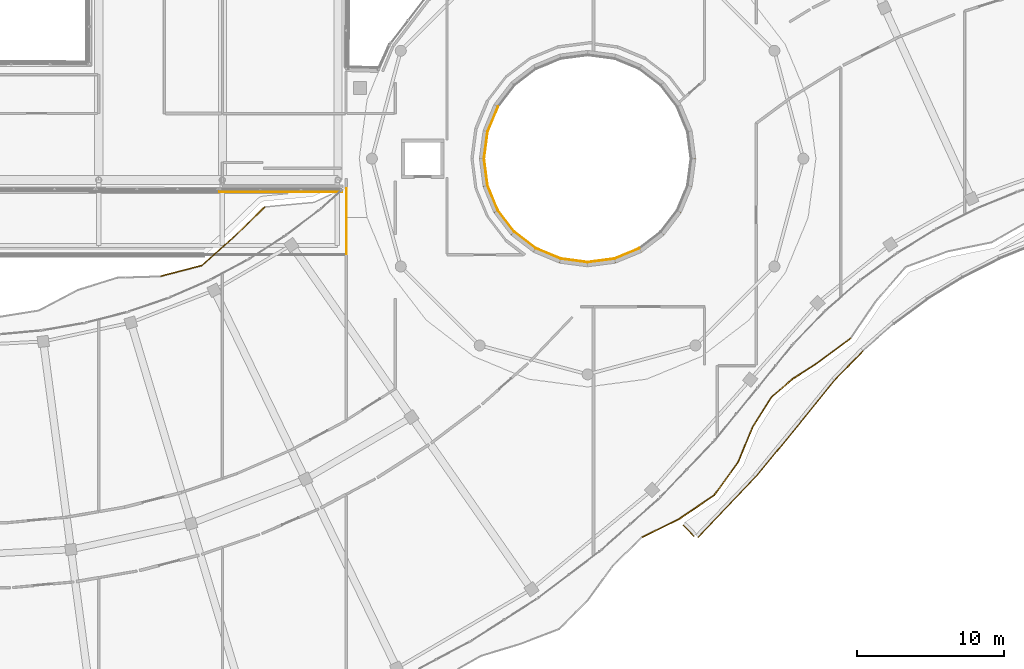
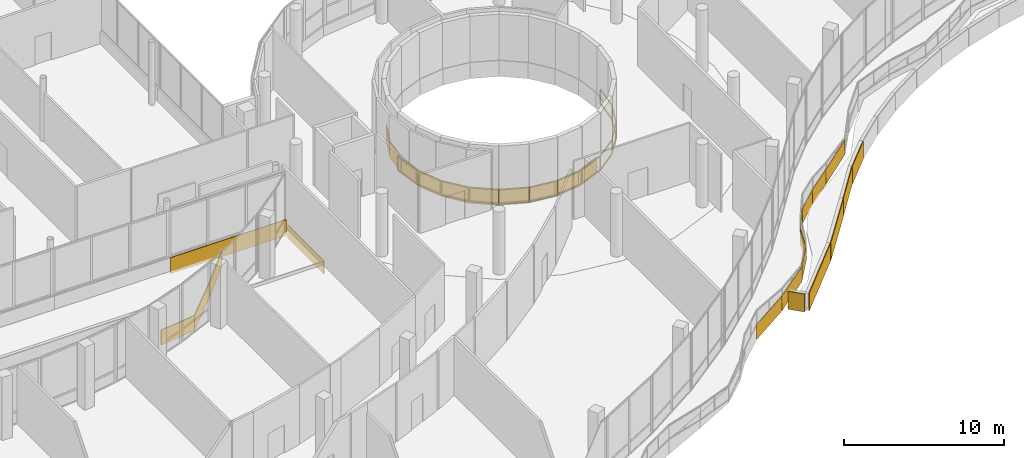
# One storey, part 159 of 168: 28 coverings, 1 railing.
"""IFC4 building model written with IfcOpenShell, lengths in metres."""

import ifcopenshell
import ifcopenshell.guid

model = None  # the IFC model being written
_history = None  # IfcOwnerHistory: only IFC2X3 demands one
_inside = {}  # id of a spatial element -> (the spatial element, [elements in it])
_under = {}  # id of a project, library or spatial element -> (it, [spatial elements below it])
_declared = {}  # id of a project -> (the project, [libraries it declares])
_typed = {}  # id of a type object -> (the type object, [elements of that type])
_made_of = {}  # id of a material, layer set ... -> (it, [elements and type objects made of it])


def new_model(schema):
    """Start an empty IFC model of exactly this schema.

    Asked for "IFC4X3", IfcOpenShell would pick the latest addendum, in which some entities
    have other attributes; the version numbers below select the first issue.
    IFC2X3 requires an IfcOwnerHistory on every rooted entity: one is made here for all.
    """
    global model, _history
    if schema == "IFC4X3":
        model = ifcopenshell.file(schema_version=(4, 3, 0, 0))
    else:
        model = ifcopenshell.file(schema=schema)
    _inside.clear()
    _under.clear()
    _declared.clear()
    _typed.clear()
    _made_of.clear()
    _history = None
    if model.schema == "IFC2X3":
        org = make("IfcOrganization", Name="unknown")
        user = make(
            "IfcPersonAndOrganization",
            ThePerson=make("IfcPerson", FamilyName="unknown"),
            TheOrganization=org,
        )
        app = make(
            "IfcApplication",
            ApplicationDeveloper=org,
            Version="unknown",
            ApplicationFullName="unknown",
            ApplicationIdentifier="unknown",
        )
        _history = make(
            "IfcOwnerHistory",
            OwningUser=user,
            OwningApplication=app,
            ChangeAction="ADDED",
            CreationDate=0,
        )
    return model


def make(cls, **values):
    """One entity of the class cls with the attributes given. An attribute that is None is left unset."""
    return model.create_entity(
        cls, **{name: value for name, value in values.items() if value is not None}
    )


def rooted(cls, **values):
    """An entity with a GlobalId (a new one), such as an element, a storey or a relation."""
    return make(cls, GlobalId=ifcopenshell.guid.new(), OwnerHistory=_history, **values)


def si_unit(unit_type, name, prefix=None):
    """IfcSIUnit, for example si_unit("LENGTHUNIT", "METRE", prefix="MILLI")."""
    return make("IfcSIUnit", UnitType=unit_type, Prefix=prefix, Name=name)


def assignment(units):
    """IfcUnitAssignment: the units of a project."""
    return None if units is None else make("IfcUnitAssignment", Units=units)


def point(xyz):
    """IfcCartesianPoint."""
    return None if xyz is None else make("IfcCartesianPoint", Coordinates=xyz)


def direction(xyz):
    """IfcDirection."""
    return None if xyz is None else make("IfcDirection", DirectionRatios=xyz)


def frame(location, z_axis=None, x_axis=None):
    """IfcAxis2Placement3D, a coordinate frame: its origin and axes. An axis left out is left unset."""
    return make(
        "IfcAxis2Placement3D",
        Location=point(location),
        Axis=direction(z_axis),
        RefDirection=direction(x_axis),
    )


def frame_2d(location, x_axis=None):
    """IfcAxis2Placement2D, a coordinate frame in the plane: its origin and x axis."""
    return make(
        "IfcAxis2Placement2D", Location=point(location), RefDirection=direction(x_axis)
    )


def origin():
    """The frame at (0, 0, 0) with its axes left unset."""
    return frame((0.0, 0.0, 0.0))


def origin_2d():
    """The frame at (0, 0) in the plane with its x axis left unset."""
    return frame_2d((0.0, 0.0))


def place(relative_to, where):
    """IfcLocalPlacement: puts the frame where relative to a parent placement (None: the world)."""
    return make(
        "IfcLocalPlacement", PlacementRelTo=relative_to, RelativePlacement=where
    )


def context(
    kind, dimensions, precision=None, world=None, true_north=None, identifier=None
):
    """IfcGeometricRepresentationContext, for example the 3D "Model" context."""
    return make(
        "IfcGeometricRepresentationContext",
        ContextIdentifier=identifier,
        ContextType=kind,
        CoordinateSpaceDimension=dimensions,
        Precision=precision,
        WorldCoordinateSystem=world,
        TrueNorth=true_north,
    )


def subcontext(parent, identifier, kind, view, scale=None):
    """IfcGeometricRepresentationSubContext, for example "Body" below "Model"."""
    return make(
        "IfcGeometricRepresentationSubContext",
        ContextIdentifier=identifier,
        ContextType=kind,
        ParentContext=parent,
        TargetScale=scale,
        TargetView=view,
    )


def project(units=None, contexts=None):
    """IfcProject with its units and contexts."""
    return rooted(
        "IfcProject",
        Name="project",
        RepresentationContexts=contexts,
        UnitsInContext=assignment(units),
    )


def spatial(cls, under=None, at=None, **own):
    """A site, building, storey or space (cls), placed at a placement, below another one or the project."""
    s = rooted(cls, ObjectPlacement=at, **own)
    if under is not None:
        _under.setdefault(under.id(), (under, []))[1].append(s)
    return s


def polyline(points):
    """IfcPolyline through the points."""
    return make("IfcPolyline", Points=[point(p) for p in points])


def profile(cls, at=None, kind="AREA", **sizes):
    """A parametric profile (cls). Its sizes go by their IFC names, for example OverallWidth=200.0."""
    return make(cls, ProfileType=kind, Position=at, **sizes)


def rectangle(**sizes):
    """IfcRectangleProfileDef."""
    return profile("IfcRectangleProfileDef", **sizes)


def outline(outer, holes=None, kind="AREA"):
    """IfcArbitraryClosedProfileDef: a profile drawn as a closed curve; with holes, ...WithVoids."""
    if holes is None:
        return make("IfcArbitraryClosedProfileDef", ProfileType=kind, OuterCurve=outer)
    return make(
        "IfcArbitraryProfileDefWithVoids",
        ProfileType=kind,
        OuterCurve=outer,
        InnerCurves=holes,
    )


def extrude(swept, where, along, depth):
    """IfcExtrudedAreaSolid: the profile swept, set in the frame where, extruded along a direction by depth."""
    return make(
        "IfcExtrudedAreaSolid",
        SweptArea=swept,
        Position=where,
        ExtrudedDirection=direction(along),
        Depth=depth,
    )


def shape(context_of_items, identifier, shape_type, items):
    """IfcShapeRepresentation: the items that make up one representation, for example the "Body"."""
    return make(
        "IfcShapeRepresentation",
        ContextOfItems=context_of_items,
        RepresentationIdentifier=identifier,
        RepresentationType=shape_type,
        Items=items,
    )


def material(Name=None, Category=None):
    """IfcMaterial."""
    return make("IfcMaterial", Name=Name, Category=Category)


def layer(
    of_material, thickness, ventilated=None, Name=None, Category=None, Priority=None
):
    """IfcMaterialLayer: one layer of a wall or slab, of a material (None: an air gap)."""
    return make(
        "IfcMaterialLayer",
        Material=of_material,
        LayerThickness=thickness,
        IsVentilated=ventilated,
        Name=Name,
        Category=Category,
        Priority=Priority,
    )


def layer_set(layers, Name=None):
    """IfcMaterialLayerSet."""
    return make("IfcMaterialLayerSet", MaterialLayers=layers, LayerSetName=Name)


def made_of(thing, what):
    """Note that an element or type object is made of a material, layer set ...; save() writes the relation."""
    if what is not None:
        _made_of.setdefault(what.id(), (what, []))[1].append(thing)
    return thing


def type_object(cls, material=None, **own):
    """A type object (cls), such as IfcWallType, which elements share."""
    return made_of(rooted(cls, **own), material)


def element(
    cls,
    number,
    at=None,
    inside=None,
    cuts=None,
    type_object=None,
    material=None,
    context=None,
    identifier="Body",
    shape_type=None,
    held_by="IfcProductDefinitionShape",
    body=None,
    shapes=None,
    **own,
):
    """One element of the class cls, such as IfcWall. Its Tag is "e" and its number.

    at: its placement. inside: the storey or other place that contains it. cuts: it is an
    opening in that element (IfcRelVoidsElement). A single representation is given by context,
    identifier, shape_type and body (its items); several are given by shapes. held_by: the class
    of the entity that holds the representations. save() writes the other relations.
    """
    e = rooted(cls, Tag="e%d" % number, ObjectPlacement=at, **own)
    if body is not None:
        shapes = [shape(context, identifier, shape_type, body)]
    if shapes is not None:
        e.Representation = make(held_by, Representations=shapes)
    if inside is not None:
        _inside.setdefault(inside.id(), (inside, []))[1].append(e)
    if cuts is not None:
        rooted(
            "IfcRelVoidsElement", RelatingBuildingElement=cuts, RelatedOpeningElement=e
        )
    if type_object is not None:
        _typed.setdefault(type_object.id(), (type_object, []))[1].append(e)
    return made_of(e, material)


def aggregate(whole, parts):
    """IfcRelAggregates: a whole, such as a stair, and the parts it consists of."""
    return rooted("IfcRelAggregates", RelatingObject=whole, RelatedObjects=parts)


def save(model, path):
    """Write the relations noted so far, then the file.

    IfcRelAggregates (storeys below a building ...), IfcRelContainedInSpatialStructure (elements
    in a storey), IfcRelDefinesByType, IfcRelAssociatesMaterial and IfcRelDeclares: one each for
    every whole, place, type object, material and project.
    """
    for whole, parts in _under.values():
        aggregate(whole, parts)
    for where, things in _inside.values():
        rooted(
            "IfcRelContainedInSpatialStructure",
            RelatedElements=things,
            RelatingStructure=where,
        )
    for kind, things in _typed.values():
        rooted("IfcRelDefinesByType", RelatedObjects=things, RelatingType=kind)
    for what, things in _made_of.values():
        rooted("IfcRelAssociatesMaterial", RelatedObjects=things, RelatingMaterial=what)
    for by, libraries in _declared.values():
        rooted("IfcRelDeclares", RelatingContext=by, RelatedDefinitions=libraries)
    model.write(path)


model = new_model("IFC4")

# Units and contexts
model_context = context("Model", 3, precision=1e-05, world=origin(), true_north=direction((0.0, 1.0)))
body_context = subcontext(model_context, "Body", "Model", "MODEL_VIEW")
ifc_project = project(units=[si_unit("LENGTHUNIT", "METRE"), si_unit("AREAUNIT", "SQUARE_METRE"), si_unit("VOLUMEUNIT", "CUBIC_METRE"), si_unit("PLANEANGLEUNIT", "RADIAN"), si_unit("MASSUNIT", "GRAM", prefix="KILO")], contexts=[model_context])

# Site, building, storey
site_placement = place(None, origin())
site = spatial("IfcSite", under=ifc_project, at=site_placement, CompositionType="ELEMENT")
building_placement = place(site_placement, origin())
building = spatial("IfcBuilding", under=site, at=building_placement, Name="Selatvlak General Hospital", CompositionType="ELEMENT")
storey_placement = place(building_placement, frame((0.0, 0.0, 5.39990234375)))
storey = spatial("IfcBuildingStorey", under=building, at=storey_placement, Name="L01", CompositionType="ELEMENT", Elevation=5.39990234375)

# Coverings
ifc_material_1 = material(Name="PVDF aluminium fascia - ochre yellow", Category="aluminium")
ifc_layer_1 = layer(ifc_material_1, 0.070068359375, Name="PVDF aluminium fascia - ochre yellow", Category="aluminium")
ifc_layer_set_1 = layer_set([ifc_layer_1], Name="PVDF aluminium fascia - ochre yellow")
covering_type_1 = type_object("IfcCoveringType", Name="COV-RB-YEL", PredefinedType="CLADDING", material=ifc_layer_set_1)
covering_1_placement = place(storey_placement, frame((101.698974609375, 28.279052734375, -1.122802734375), z_axis=(0.0, 0.0, 1.0), x_axis=(0.895074731887, 0.445916162902, 0.0)))
element("IfcCovering", 1, at=covering_1_placement, inside=storey, type_object=covering_type_1, Name="L01 De Stijl waving fascia streamer 147", PredefinedType="CLADDING", context=body_context, shape_type="SweptSolid", body=[
    extrude(outline(polyline([(0.0, 0.0), (2.861328125, 0.52294921875), (2.861328125, 1.662841796875), (0.0, 1.139892578125), (0.0, 0.0)])), frame((0.0, 0.03515625, 0.0), z_axis=(0.0, -1.0, 0.0), x_axis=(1.0, 0.0, 0.0)), (0.0, 0.0, 1.0), 0.070068359375),
])
covering_2_placement = place(storey_placement, frame((104.259033203125, 29.554931640625, -0.599853515625), z_axis=(0.0, 0.0, 1.0), x_axis=(0.827825487396, 0.560985706072, 0.0)))
element("IfcCovering", 2, at=covering_2_placement, inside=storey, type_object=covering_type_1, Name="L01 De Stijl waving fascia streamer 148", PredefinedType="CLADDING", context=body_context, shape_type="SweptSolid", body=[
    extrude(outline(polyline([(0.0, 0.0), (2.8251953125, 0.4140625), (2.8251953125, 1.553955078125), (0.0, 1.139892578125), (0.0, 0.0)])), frame((0.0, 0.03515625, 0.0), z_axis=(0.0, -1.0, 0.0), x_axis=(1.0, 0.0, 0.0)), (0.0, 0.0, 1.0), 0.070068359375),
])
covering_3_placement = place(storey_placement, frame((106.597900390625, 31.138916015625, -0.185791015625), z_axis=(0.0, 0.0, 1.0), x_axis=(0.586478115921, 0.809965073041, 0.0)))
element("IfcCovering", 3, at=covering_3_placement, inside=storey, type_object=covering_type_1, Name="L01 De Stijl waving fascia streamer 149", PredefinedType="CLADDING", context=body_context, shape_type="SweptSolid", body=[
    extrude(outline(polyline([(0.0, 0.0), (2.787841796875, -0.26220703125), (2.787841796875, 0.877685546875), (0.0, 1.139892578125), (0.0, 0.0)])), frame((0.0, 0.03515625, 0.0), z_axis=(0.0, -1.0, 0.0), x_axis=(1.0, 0.0, 0.0)), (0.0, 0.0, 1.0), 0.070068359375),
])
covering_4_placement = place(storey_placement, frame((108.23291015625, 33.39697265625, -0.447998046875), z_axis=(0.0, 0.0, 1.0), x_axis=(0.379793072961, 0.925071468445, 0.0)))
element("IfcCovering", 4, at=covering_4_placement, inside=storey, type_object=covering_type_1, Name="L01 De Stijl waving fascia streamer 150", PredefinedType="CLADDING", context=body_context, shape_type="SweptSolid", body=[
    extrude(outline(polyline([(0.0, 0.0), (2.580322265625, -0.52392578125), (2.580322265625, 0.615966796875), (0.0, 1.139892578125), (0.0, 0.0)])), frame((0.0, 0.03515625, 0.0), z_axis=(0.0, -1.0, 0.0), x_axis=(1.0, 0.0, 0.0)), (0.0, 0.0, 1.0), 0.070068359375),
])
covering_5_placement = place(storey_placement, frame((109.2119140625, 35.782958984375, -0.971923828125), z_axis=(0.0, 0.0, 1.0), x_axis=(0.535233769083, 0.844703979175, 0.0)))
element("IfcCovering", 5, at=covering_5_placement, inside=storey, type_object=covering_type_1, Name="L01 De Stijl waving fascia streamer 151", PredefinedType="CLADDING", context=body_context, shape_type="SweptSolid", body=[
    extrude(outline(polyline([(0.0, 0.0), (2.3974609375, -0.201904296875), (2.3974609375, 0.93798828125), (0.0, 1.139892578125), (0.0, 0.0)])), frame((0.0, 0.03515625, 0.0), z_axis=(0.0, -1.0, 0.0), x_axis=(1.0, 0.0, 0.0)), (0.0, 0.0, 1.0), 0.070068359375),
])
covering_6_placement = place(storey_placement, frame((110.4951171875, 37.80810546875, -1.173828125), z_axis=(0.0, 0.0, 1.0), x_axis=(0.758637489431, 0.65151297733, 0.0)))
element("IfcCovering", 6, at=covering_6_placement, inside=storey, type_object=covering_type_1, Name="L01 De Stijl waving fascia streamer 152", PredefinedType="CLADDING", context=body_context, shape_type="SweptSolid", body=[
    extrude(outline(polyline([(0.0, 0.0), (1.893798828125, 0.23486328125), (1.893798828125, 1.374755859375), (0.0, 1.139892578125), (0.0, 0.0)])), frame((0.0, 0.03515625, 0.0), z_axis=(0.0, -1.0, 0.0), x_axis=(1.0, 0.0, 0.0)), (0.0, 0.0, 1.0), 0.070068359375),
])
covering_7_placement = place(storey_placement, frame((111.93310546875, 39.04296875, -0.93896484375), z_axis=(0.0, 0.0, 1.0), x_axis=(0.84306140564, 0.537817316865, 0.0)))
element("IfcCovering", 7, at=covering_7_placement, inside=storey, type_object=covering_type_1, Name="L01 De Stijl waving fascia streamer 153", PredefinedType="CLADDING", context=body_context, shape_type="SweptSolid", body=[
    extrude(outline(polyline([(0.0, 0.0), (1.844482421875, 0.416015625), (1.844482421875, 1.555908203125), (0.0, 1.139892578125), (0.0, 0.0)])), frame((0.0, 0.03515625, 0.0), z_axis=(0.0, -1.0, 0.0), x_axis=(1.0, 0.0, 0.0)), (0.0, 0.0, 1.0), 0.070068359375),
])
covering_8_placement = place(storey_placement, frame((113.488037109375, 40.034912109375, -0.52294921875), z_axis=(0.0, 0.0, 1.0), x_axis=(0.803660177419, 0.595088496974, 0.0)))
element("IfcCovering", 8, at=covering_8_placement, inside=storey, type_object=covering_type_1, Name="L01 De Stijl waving fascia streamer 154", PredefinedType="CLADDING", context=body_context, shape_type="SweptSolid", body=[
    extrude(outline(polyline([(0.0, 0.0), (2.9814453125, 0.3330078125), (2.9814453125, 1.472900390625), (0.0, 1.139892578125), (0.0, 0.0)])), frame((0.0, 0.03515625, 0.0), z_axis=(0.0, -1.0, 0.0), x_axis=(1.0, 0.0, 0.0)), (0.0, 0.0, 1.0), 0.070068359375),
])
covering_9_placement = place(storey_placement, frame((76.0791015625, 50.720947265625, -0.2138671875), z_axis=(0.0, 0.0, 1.0), x_axis=(-0.716822456802, -0.697255738897, 0.0)))
element("IfcCovering", 9, at=covering_9_placement, inside=storey, type_object=covering_type_1, Name="L01 De Stijl waving fascia streamer 189", PredefinedType="CLADDING", context=body_context, shape_type="SweptSolid", body=[
    extrude(outline(polyline([(0.0, 0.0), (2.869873046875, -0.468017578125), (2.869873046875, 0.671875), (0.0, 1.139892578125), (0.0, 0.0)])), frame((0.0, 0.03515625, 0.0), z_axis=(0.0, -1.0, 0.0), x_axis=(1.0, 0.0, 0.0)), (0.0, 0.0, 1.0), 0.070068359375),
])
covering_10_placement = place(storey_placement, frame((74.02099609375, 48.719970703125, -0.681884765625), z_axis=(0.0, 0.0, 1.0), x_axis=(-0.744531153408, -0.667587718285, 0.0)))
element("IfcCovering", 10, at=covering_10_placement, inside=storey, type_object=covering_type_1, Name="L01 De Stijl waving fascia streamer 190", PredefinedType="CLADDING", context=body_context, shape_type="SweptSolid", body=[
    extrude(outline(polyline([(0.0, 0.0), (2.950927734375, -0.489990234375), (2.950927734375, 0.64990234375), (0.0, 1.139892578125), (0.0, 0.0)])), frame((0.0, 0.03515625, 0.0), z_axis=(0.0, -1.0, 0.0), x_axis=(1.0, 0.0, 0.0)), (0.0, 0.0, 1.0), 0.070068359375),
])
covering_11_placement = place(storey_placement, frame((71.822998046875, 46.7490234375, -1.171875), z_axis=(0.0, 0.0, 1.0), x_axis=(-0.967939427792, -0.251183725837, 0.0)))
element("IfcCovering", 11, at=covering_11_placement, inside=storey, type_object=covering_type_1, Name="L01 De Stijl waving fascia streamer 191", PredefinedType="CLADDING", context=body_context, shape_type="SweptSolid", body=[
    extrude(outline(polyline([(0.0, 0.0), (2.90625, 0.31494140625), (2.90625, 1.454833984375), (0.0, 1.139892578125), (0.0, 0.0)])), frame((0.0, 0.03515625, 0.0), z_axis=(0.0, -1.0, 0.0), x_axis=(1.0, 0.0, 0.0)), (0.0, 0.0, 1.0), 0.070068359375),
])
ifc_material_2 = material(Name="White Bauhaus fair-faced cladding panel")
ifc_layer_2 = layer(ifc_material_2, 0.054931640625, Name="White Bauhaus fair-faced cladding panel")
ifc_layer_set_2 = layer_set([ifc_layer_2], Name="White Bauhaus fair-faced cladding panel")
covering_type_2 = type_object("IfcCoveringType", Name="COV-WHT1", PredefinedType="CLADDING", material=ifc_layer_set_2)
covering_12_placement = place(storey_placement, frame((77.160888671875, 51.738037109375, -0.27978515625), z_axis=(0.0, 0.0, 1.0), x_axis=(-0.999998384157, 0.001797688161, 0.0)))
element("IfcCovering", 12, at=covering_12_placement, inside=storey, type_object=covering_type_2, Name="L01 Bauhaus horizontal white spandrel band 0078", PredefinedType="CLADDING", context=body_context, shape_type="SweptSolid", body=[
    extrude(rectangle(XDim=8.362060546875, YDim=0.054931640625, at=origin_2d()), origin(), (0.0, 0.0, 1.0), 1.219970703125),
])
covering_13_placement = place(storey_placement, frame((91.56103515625, 56.675048828125, -0.27978515625), z_axis=(0.0, 0.0, 1.0), x_axis=(-0.384005268657, -0.923330901489, 0.0)))
element("IfcCovering", 13, at=covering_13_placement, inside=storey, type_object=covering_type_2, Name="L01 Bauhaus horizontal white spandrel band 0106", PredefinedType="CLADDING", context=body_context, shape_type="SweptSolid", body=[
    extrude(rectangle(XDim=1.8798828125, YDim=0.054931640625, at=origin_2d()), origin(), (0.0, 0.0, 1.0), 1.219970703125),
])
covering_14_placement = place(storey_placement, frame((91.087890625, 54.9169921875, -0.27978515625), z_axis=(0.0, 0.0, 1.0), x_axis=(-0.131495152443, -0.991316813579, 0.0)))
element("IfcCovering", 14, at=covering_14_placement, inside=storey, type_object=covering_type_2, Name="L01 Bauhaus horizontal white spandrel band 0107", PredefinedType="CLADDING", context=body_context, shape_type="SweptSolid", body=[
    extrude(rectangle(XDim=1.8779296875, YDim=0.054931640625, at=origin_2d()), origin(), (0.0, 0.0, 1.0), 1.219970703125),
])
covering_15_placement = place(storey_placement, frame((91.0859375, 53.097900390625, -0.27978515625), z_axis=(0.0, 0.0, 1.0), x_axis=(0.129332123433, -0.991601332113, 0.0)))
element("IfcCovering", 15, at=covering_15_placement, inside=storey, type_object=covering_type_2, Name="L01 Bauhaus horizontal white spandrel band 0108", PredefinedType="CLADDING", context=body_context, shape_type="SweptSolid", body=[
    extrude(rectangle(XDim=1.87890625, YDim=0.054931640625, at=origin_2d()), origin(), (0.0, 0.0, 1.0), 1.219970703125),
])
covering_16_placement = place(storey_placement, frame((91.554931640625, 51.339111328125, -0.27978515625), z_axis=(0.0, 0.0, 1.0), x_axis=(0.381812526586, -0.924239792771, 0.0)))
element("IfcCovering", 16, at=covering_16_placement, inside=storey, type_object=covering_type_2, Name="L01 Bauhaus horizontal white spandrel band 0109", PredefinedType="CLADDING", context=body_context, shape_type="SweptSolid", body=[
    extrude(rectangle(XDim=1.8798828125, YDim=0.054931640625, at=origin_2d()), origin(), (0.0, 0.0, 1.0), 1.219970703125),
])
for number, where, z_axis, x_axis, name in (
    (17, (92.464111328125, 49.760986328125, -0.27978515625), (0.0, 0.0, 1.0), (0.607805570475, -0.79408588232, 0.0), "L01 Bauhaus horizontal white spandrel band 0110"),
    (18, (93.75, 48.472900390625, -0.27978515625), (0.0, 0.0, 1.0), (0.792917516662, -0.609328984843, 0.0), "L01 Bauhaus horizontal white spandrel band 0111"),
):
    element("IfcCovering", number, at=place(storey_placement, frame(where, z_axis=z_axis, x_axis=x_axis)), inside=storey, type_object=covering_type_2, Name=name, PredefinedType="CLADDING", context=body_context, shape_type="SweptSolid", body=[
        extrude(rectangle(XDim=1.87890625, YDim=0.054931640625, at=origin_2d()), origin(), (0.0, 0.0, 1.0), 1.219970703125),
    ])
covering_17_placement = place(storey_placement, frame((95.324951171875, 47.56103515625, -0.27978515625), z_axis=(0.0, 0.0, 1.0), x_axis=(0.923330901489, -0.384005268657, 0.0)))
element("IfcCovering", 19, at=covering_17_placement, inside=storey, type_object=covering_type_2, Name="L01 Bauhaus horizontal white spandrel band 0112", PredefinedType="CLADDING", context=body_context, shape_type="SweptSolid", body=[
    extrude(rectangle(XDim=1.8798828125, YDim=0.054931640625, at=origin_2d()), origin(), (0.0, 0.0, 1.0), 1.219970703125),
])
covering_18_placement = place(storey_placement, frame((97.0830078125, 47.087890625, -0.27978515625), z_axis=(0.0, 0.0, 1.0), x_axis=(0.991316813579, -0.131495152443, 0.0)))
element("IfcCovering", 20, at=covering_18_placement, inside=storey, type_object=covering_type_2, Name="L01 Bauhaus horizontal white spandrel band 0113", PredefinedType="CLADDING", context=body_context, shape_type="SweptSolid", body=[
    extrude(rectangle(XDim=1.8779296875, YDim=0.054931640625, at=origin_2d()), origin(), (0.0, 0.0, 1.0), 1.219970703125),
])
covering_19_placement = place(storey_placement, frame((98.902099609375, 47.0859375, -0.27978515625), z_axis=(0.0, 0.0, 1.0), x_axis=(0.991601332113, 0.129332123433, 0.0)))
element("IfcCovering", 21, at=covering_19_placement, inside=storey, type_object=covering_type_2, Name="L01 Bauhaus horizontal white spandrel band 0114", PredefinedType="CLADDING", context=body_context, shape_type="SweptSolid", body=[
    extrude(rectangle(XDim=1.87890625, YDim=0.054931640625, at=origin_2d()), origin(), (0.0, 0.0, 1.0), 1.219970703125),
])
covering_20_placement = place(storey_placement, frame((100.660888671875, 47.554931640625, -0.27978515625), z_axis=(0.0, 0.0, 1.0), x_axis=(0.924239792771, 0.381812526586, 0.0)))
element("IfcCovering", 22, at=covering_20_placement, inside=storey, type_object=covering_type_2, Name="L01 Bauhaus horizontal white spandrel band 0115", PredefinedType="CLADDING", context=body_context, shape_type="SweptSolid", body=[
    extrude(rectangle(XDim=1.8798828125, YDim=0.054931640625, at=origin_2d()), origin(), (0.0, 0.0, 1.0), 1.219970703125),
])
covering_21_placement = place(storey_placement, frame((81.6298828125, 49.75, -0.75), z_axis=(0.0, 0.0, 1.0), x_axis=(0.0, 1.0, 0.0)))
element("IfcCovering", 23, at=covering_21_placement, inside=storey, type_object=covering_type_2, Name="L01 Main hall colonnade fascia E 0584", PredefinedType="CLADDING", context=body_context, shape_type="SweptSolid", body=[
    extrude(rectangle(XDim=4.5, YDim=0.054931640625, at=origin_2d()), origin(), (0.0, 0.0, 1.0), 1.0),
])
covering_22_placement = place(storey_placement, frame((115.735107421875, 39.93603515625, -0.300048828125), z_axis=(0.0, 0.0, 1.0), x_axis=(-0.69474624921, -0.71925492644, 0.0)))
element("IfcCovering", 24, at=covering_22_placement, inside=storey, type_object=covering_type_2, Name="L01 Roof parapet white Bauhaus coping 0634", PredefinedType="CLADDING", context=body_context, shape_type="SweptSolid", body=[
    extrude(rectangle(XDim=2.81396484375, YDim=0.054931640625, at=origin_2d()), origin(), (0.0, 0.0, 1.0), 1.3701171875),
])
covering_23_placement = place(storey_placement, frame((113.634033203125, 37.552001953125, -0.300048828125), z_axis=(0.0, 0.0, 1.0), x_axis=(-0.629266134493, -0.777189894415, 0.0)))
element("IfcCovering", 25, at=covering_23_placement, inside=storey, type_object=covering_type_2, Name="L01 Roof parapet white Bauhaus coping 0635", PredefinedType="CLADDING", context=body_context, shape_type="SweptSolid", body=[
    extrude(rectangle(XDim=3.569091796875, YDim=0.054931640625, at=origin_2d()), origin(), (0.0, 0.0, 1.0), 1.3701171875),
])
covering_24_placement = place(storey_placement, frame((110.967041015625, 34.263916015625, -0.300048828125), z_axis=(0.0, 0.0, 1.0), x_axis=(-0.633691460956, -0.773585892006, 0.0)))
element("IfcCovering", 26, at=covering_24_placement, inside=storey, type_object=covering_type_2, Name="L01 Roof parapet white Bauhaus coping 0636", PredefinedType="CLADDING", context=body_context, shape_type="SweptSolid", body=[
    extrude(rectangle(XDim=4.89697265625, YDim=0.054931640625, at=origin_2d()), origin(), (0.0, 0.0, 1.0), 1.3701171875),
])
covering_25_placement = place(storey_placement, frame((107.447998046875, 30.325927734375, -0.300048828125), z_axis=(0.0, 0.0, 1.0), x_axis=(-0.690920264601, -0.7229309704, 0.0)))
element("IfcCovering", 27, at=covering_25_placement, inside=storey, type_object=covering_type_2, Name="L01 Roof parapet white Bauhaus coping 0637", PredefinedType="CLADDING", context=body_context, shape_type="SweptSolid", body=[
    extrude(rectangle(XDim=5.653076171875, YDim=0.054931640625, at=origin_2d()), origin(), (0.0, 0.0, 1.0), 1.3701171875),
])
covering_26_placement = place(storey_placement, frame((104.862060546875, 28.738037109375, -0.300048828125), z_axis=(0.0, 0.0, 1.0), x_axis=(-0.694356993175, 0.71963071504, 0.0)))
element("IfcCovering", 28, at=covering_26_placement, inside=storey, type_object=covering_type_2, Name="L01 Roof parapet white Bauhaus coping 0638", PredefinedType="CLADDING", context=body_context, shape_type="SweptSolid", body=[
    extrude(rectangle(XDim=1.069091796875, YDim=0.054931640625, at=origin_2d()), origin(), (0.0, 0.0, 1.0), 1.3701171875),
])

# Railing
ifc_material_3 = material(Name="Stainless steel 316 atrium guard", Category="steel")
railing_type = type_object("IfcRailingType", Name="RAIL-ATR", PredefinedType="GUARDRAIL", material=ifc_material_3)
railing_placement = place(storey_placement, frame((90.699951171875, 54.0, 0.0)))
element("IfcRailing", 29, at=railing_placement, inside=storey, type_object=railing_type, Name="L01 rotunda atrium void guard S", PredefinedType="GUARDRAIL", context=body_context, shape_type="SweptSolid", body=[
    extrude(rectangle(XDim=0.068115234375, YDim=0.068115234375, at=origin_2d()), frame((0.00048828125, -0.0029296875, 1.11572265625), z_axis=(0.130703112878, -0.991421553268, 0.0), x_axis=(0.991421553268, 0.130703112878, 0.0)), (0.0, 0.0, 1.0), 1.8994140625),
    extrude(rectangle(XDim=0.068115234375, YDim=0.068115234375, at=origin_2d()), frame((0.00048828125, -0.0029296875, 0.049072265625), z_axis=(0.130703112878, -0.991421553268, 0.0), x_axis=(0.991421553268, 0.130703112878, 0.0)), (0.0, 0.0, 1.0), 1.8994140625),
    extrude(rectangle(XDim=0.068115234375, YDim=0.068115234375, at=origin_2d()), frame((0.250244140625, -1.8916015625, 1.11572265625), z_axis=(0.382495099758, -0.923957519944, 0.0), x_axis=(0.923957519944, 0.382495099758, 0.0)), (0.0, 0.0, 1.0), 1.900146484375),
    extrude(rectangle(XDim=0.068115234375, YDim=0.068115234375, at=origin_2d()), frame((0.250244140625, -1.8916015625, 0.049072265625), z_axis=(0.382495099758, -0.923957519944, 0.0), x_axis=(0.923957519944, 0.382495099758, 0.0)), (0.0, 0.0, 1.0), 1.900146484375),
    extrude(rectangle(XDim=0.068115234375, YDim=0.068115234375, at=origin_2d()), frame((0.979736328125, -3.65234375, 1.11572265625), z_axis=(0.608614402838, -0.793466135798, 0.0), x_axis=(0.793466135798, 0.608614402838, 0.0)), (0.0, 0.0, 1.0), 1.89990234375),
    extrude(rectangle(XDim=0.068115234375, YDim=0.068115234375, at=origin_2d()), frame((0.979736328125, -3.65234375, 0.049072265625), z_axis=(0.608614402838, -0.793466135798, 0.0), x_axis=(0.793466135798, 0.608614402838, 0.0)), (0.0, 0.0, 1.0), 1.89990234375),
    extrude(rectangle(XDim=0.068115234375, YDim=0.068115234375, at=origin_2d()), frame((2.140380859375, -5.163818359375, 1.11572265625), z_axis=(0.793466135798, -0.608614402838, 0.0), x_axis=(0.608614402838, 0.793466135798, 0.0)), (0.0, 0.0, 1.0), 1.89990234375),
    extrude(rectangle(XDim=0.068115234375, YDim=0.068115234375, at=origin_2d()), frame((2.140380859375, -5.163818359375, 0.049072265625), z_axis=(0.793466135798, -0.608614402838, 0.0), x_axis=(0.608614402838, 0.793466135798, 0.0)), (0.0, 0.0, 1.0), 1.89990234375),
    extrude(rectangle(XDim=0.068115234375, YDim=0.068115234375, at=origin_2d()), frame((3.65283203125, -6.3232421875, 1.11572265625), z_axis=(0.923957519944, -0.382495099758, 0.0), x_axis=(0.382495099758, 0.923957519944, 0.0)), (0.0, 0.0, 1.0), 1.900146484375),
    extrude(rectangle(XDim=0.068115234375, YDim=0.068115234375, at=origin_2d()), frame((3.65283203125, -6.3232421875, 0.049072265625), z_axis=(0.923957519944, -0.382495099758, 0.0), x_axis=(0.382495099758, 0.923957519944, 0.0)), (0.0, 0.0, 1.0), 1.900146484375),
    extrude(rectangle(XDim=0.068115234375, YDim=0.068115234375, at=origin_2d()), frame((5.4140625, -7.051513671875, 1.11572265625), z_axis=(0.991421553268, -0.130703112878, 0.0), x_axis=(0.130703112878, 0.991421553268, 0.0)), (0.0, 0.0, 1.0), 1.8994140625),
    extrude(rectangle(XDim=0.068115234375, YDim=0.068115234375, at=origin_2d()), frame((5.4140625, -7.051513671875, 0.049072265625), z_axis=(0.991421553268, -0.130703112878, 0.0), x_axis=(0.130703112878, 0.991421553268, 0.0)), (0.0, 0.0, 1.0), 1.8994140625),
    extrude(rectangle(XDim=0.068115234375, YDim=0.068115234375, at=origin_2d()), frame((7.302978515625, -7.299560546875, 1.11572265625), z_axis=(0.991421553268, 0.130703112878, 0.0), x_axis=(-0.130703112878, 0.991421553268, 0.0)), (0.0, 0.0, 1.0), 1.8994140625),
    extrude(rectangle(XDim=0.068115234375, YDim=0.068115234375, at=origin_2d()), frame((7.302978515625, -7.299560546875, 0.049072265625), z_axis=(0.991421553268, 0.130703112878, 0.0), x_axis=(-0.130703112878, 0.991421553268, 0.0)), (0.0, 0.0, 1.0), 1.8994140625),
    extrude(rectangle(XDim=0.068115234375, YDim=0.068115234375, at=origin_2d()), frame((9.191650390625, -7.0498046875, 1.11572265625), z_axis=(0.923957519944, 0.382495099758, 0.0), x_axis=(-0.382495099758, 0.923957519944, 0.0)), (0.0, 0.0, 1.0), 1.900146484375),
    extrude(rectangle(XDim=0.068115234375, YDim=0.068115234375, at=origin_2d()), frame((9.191650390625, -7.0498046875, 0.049072265625), z_axis=(0.923957519944, 0.382495099758, 0.0), x_axis=(-0.382495099758, 0.923957519944, 0.0)), (0.0, 0.0, 1.0), 1.900146484375),
    extrude(rectangle(XDim=0.068115234375, YDim=0.068115234375, at=origin_2d()), frame((10.952392578125, -6.3203125, 1.11572265625), z_axis=(0.793466135798, 0.608614402838, 0.0), x_axis=(-0.608614402838, 0.793466135798, 0.0)), (0.0, 0.0, 1.0), 1.89990234375),
    extrude(rectangle(XDim=0.068115234375, YDim=0.068115234375, at=origin_2d()), frame((10.952392578125, -6.3203125, 0.049072265625), z_axis=(0.793466135798, 0.608614402838, 0.0), x_axis=(-0.608614402838, 0.793466135798, 0.0)), (0.0, 0.0, 1.0), 1.89990234375),
    extrude(rectangle(XDim=0.068115234375, YDim=0.068115234375, at=origin_2d()), frame((12.4638671875, -5.15966796875, 1.11572265625), z_axis=(0.608614402838, 0.793466135798, 0.0), x_axis=(-0.793466135798, 0.608614402838, 0.0)), (0.0, 0.0, 1.0), 1.89990234375),
    extrude(rectangle(XDim=0.068115234375, YDim=0.068115234375, at=origin_2d()), frame((12.4638671875, -5.15966796875, 0.049072265625), z_axis=(0.608614402838, 0.793466135798, 0.0), x_axis=(-0.793466135798, 0.608614402838, 0.0)), (0.0, 0.0, 1.0), 1.89990234375),
    extrude(rectangle(XDim=0.068115234375, YDim=0.068115234375, at=origin_2d()), frame((13.623291015625, -3.647216796875, 1.11572265625), z_axis=(0.382495099758, 0.923957519944, 0.0), x_axis=(-0.923957519944, 0.382495099758, 0.0)), (0.0, 0.0, 1.0), 1.900146484375),
    extrude(rectangle(XDim=0.068115234375, YDim=0.068115234375, at=origin_2d()), frame((13.623291015625, -3.647216796875, 0.049072265625), z_axis=(0.382495099758, 0.923957519944, 0.0), x_axis=(-0.923957519944, 0.382495099758, 0.0)), (0.0, 0.0, 1.0), 1.900146484375),
    extrude(rectangle(XDim=0.068115234375, YDim=0.068115234375, at=origin_2d()), frame((14.3515625, -1.885986328125, 1.11572265625), z_axis=(0.130703112878, 0.991421553268, 0.0), x_axis=(-0.991421553268, 0.130703112878, 0.0)), (0.0, 0.0, 1.0), 1.8994140625),
    extrude(rectangle(XDim=0.068115234375, YDim=0.068115234375, at=origin_2d()), frame((14.3515625, -1.885986328125, 0.049072265625), z_axis=(0.130703112878, 0.991421553268, 0.0), x_axis=(-0.991421553268, 0.130703112878, 0.0)), (0.0, 0.0, 1.0), 1.8994140625),
    extrude(rectangle(XDim=0.055908203125, YDim=0.055908203125, at=origin_2d()), origin(), (0.0, 0.0, 1.0), 1.078857421875),
    extrude(rectangle(XDim=0.055908203125, YDim=0.055908203125, at=origin_2d()), frame((0.2490234375, -1.888916015625, 0.0)), (0.0, 0.0, 1.0), 1.078857421875),
    extrude(rectangle(XDim=0.055908203125, YDim=0.055908203125, at=origin_2d()), frame((0.97802734375, -3.64990234375, 0.0)), (0.0, 0.0, 1.0), 1.078857421875),
    extrude(rectangle(XDim=0.055908203125, YDim=0.055908203125, at=origin_2d()), frame((2.137939453125, -5.162109375, 0.0)), (0.0, 0.0, 1.0), 1.078857421875),
    extrude(rectangle(XDim=0.055908203125, YDim=0.055908203125, at=origin_2d()), frame((3.650146484375, -6.322021484375, 0.0)), (0.0, 0.0, 1.0), 1.078857421875),
    extrude(rectangle(XDim=0.055908203125, YDim=0.055908203125, at=origin_2d()), frame((5.4111328125, -7.051025390625, 0.0)), (0.0, 0.0, 1.0), 1.078857421875),
    extrude(rectangle(XDim=0.055908203125, YDim=0.055908203125, at=origin_2d()), frame((7.300048828125, -7.300048828125, 0.0)), (0.0, 0.0, 1.0), 1.078857421875),
    extrude(rectangle(XDim=0.055908203125, YDim=0.055908203125, at=origin_2d()), frame((9.18896484375, -7.051025390625, 0.0)), (0.0, 0.0, 1.0), 1.078857421875),
    extrude(rectangle(XDim=0.055908203125, YDim=0.055908203125, at=origin_2d()), frame((10.949951171875, -6.322021484375, 0.0)), (0.0, 0.0, 1.0), 1.078857421875),
    extrude(rectangle(XDim=0.055908203125, YDim=0.055908203125, at=origin_2d()), frame((12.462158203125, -5.162109375, 0.0)), (0.0, 0.0, 1.0), 1.078857421875),
    extrude(rectangle(XDim=0.055908203125, YDim=0.055908203125, at=origin_2d()), frame((13.6220703125, -3.64990234375, 0.0)), (0.0, 0.0, 1.0), 1.078857421875),
    extrude(rectangle(XDim=0.055908203125, YDim=0.055908203125, at=origin_2d()), frame((14.35107421875, -1.888916015625, 0.0)), (0.0, 0.0, 1.0), 1.078857421875),
    extrude(rectangle(XDim=0.055908203125, YDim=0.055908203125, at=origin_2d()), frame((14.60009765625, 0.0, 0.0)), (0.0, 0.0, 1.0), 1.078857421875),
])

save(model, "model.ifc")
